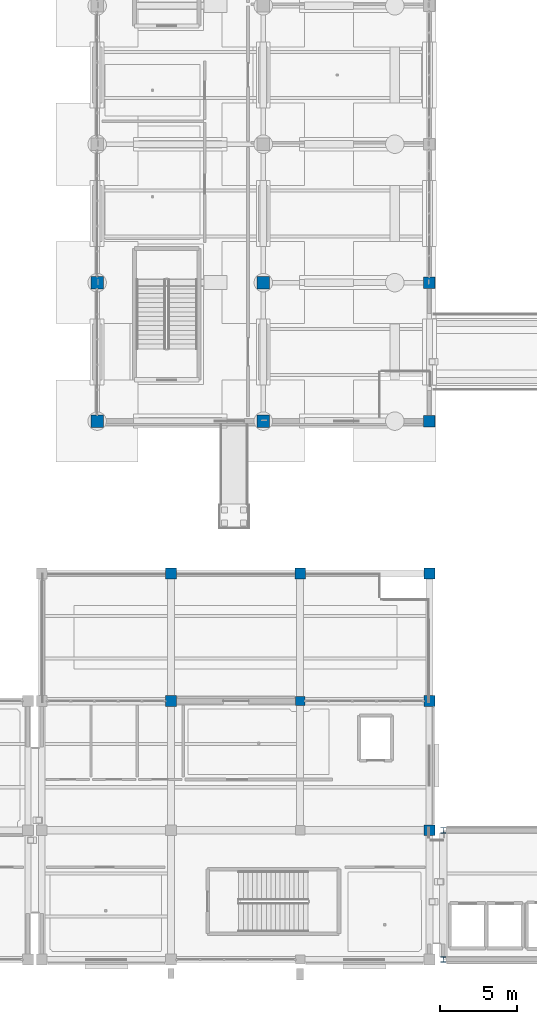
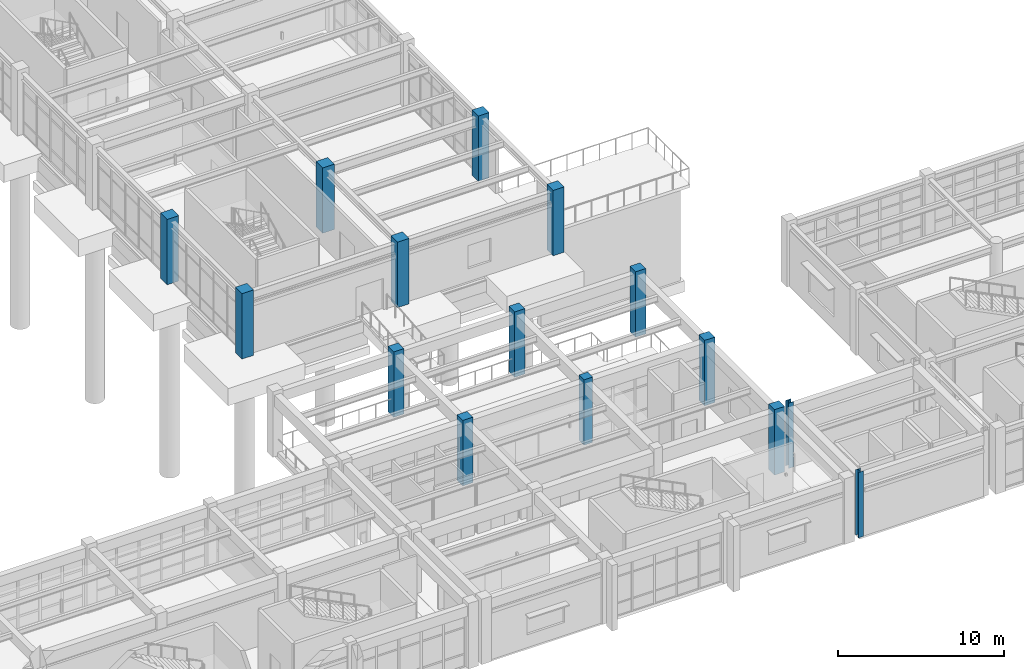
# One storey, part 4 of 98: 15 columns.
"""IFC4 building model written with IfcOpenShell, lengths in metres."""

from ifc_helpers import new_model, si_unit, direction, frame, origin, origin_2d, place, context, subcontext, project, spatial, rectangle, i_section, extrude, material, material_profile, profile_set, type_object, element, save


model = new_model("IFC4")

# Units and contexts
model_context = context("Model", 3, precision=1e-05, world=origin(), true_north=direction((0.0, 1.0)))
body_context = subcontext(model_context, "Body", "Model", "MODEL_VIEW")
ifc_project = project(units=[si_unit("LENGTHUNIT", "METRE"), si_unit("AREAUNIT", "SQUARE_METRE"), si_unit("VOLUMEUNIT", "CUBIC_METRE"), si_unit("PLANEANGLEUNIT", "RADIAN"), si_unit("MASSUNIT", "GRAM", prefix="KILO")], contexts=[model_context])

# Site, building, storey
site_placement = place(None, origin())
site = spatial("IfcSite", under=ifc_project, at=site_placement, CompositionType="ELEMENT")
building_placement = place(site_placement, origin())
building = spatial("IfcBuilding", under=site, at=building_placement, Name="Canglan Escarpment Cableway Terminal", CompositionType="ELEMENT")
storey_placement = place(building_placement, frame((0.0, 0.0, 9.60009765625)))
storey = spatial("IfcBuildingStorey", under=building, at=storey_placement, Name="L02", CompositionType="ELEMENT", Elevation=9.60009765625)

# Columns
ifc_material_1 = material(Name="Steel Q355C", Category="steel")
ifc_material_profile_1 = material_profile(ifc_material_1, i_section(OverallWidth=0.35009765625, OverallDepth=0.35009765625, WebThickness=0.011962890625, FlangeThickness=0.01904296875, FilletRadius=0.02001953125, at=origin_2d()), Name="HW 350x350x12x19")
ifc_profile_set_1 = profile_set([ifc_material_profile_1], Name="Steel Q355C")
column_type_1 = type_object("IfcColumnType", Name="COL-HW350-Q355C", PredefinedType="COLUMN", material=ifc_profile_set_1)
for number, where, z_axis, x_axis, name in (
    (1, (137.60009765625, 8.0, 0.0), (0.0, 0.0, 1.0), (1.0, 0.0, 0.0), "Structural column C-09"),
    (2, (137.60009765625, 16.39990234375, 0.0), (0.0, 0.0, 1.0), (1.0, 0.0, 0.0), "Structural column C-09"),
):
    element("IfcColumn", number, at=place(storey_placement, frame(where, z_axis=z_axis, x_axis=x_axis)), inside=storey, type_object=column_type_1, Name=name, PredefinedType="COLUMN", context=body_context, shape_type="SweptSolid", body=[
        extrude(i_section(OverallWidth=0.35009765625, OverallDepth=0.35009765625, WebThickness=0.011962890625, FlangeThickness=0.01904296875, FilletRadius=0.02001953125, at=origin_2d()), origin(), (0.0, 0.0, 1.0), 4.7998046875),
    ])
ifc_material_2 = material(Name="Concrete C40", Category="concrete")
ifc_material_profile_2 = material_profile(ifc_material_2, rectangle(XDim=0.60009765625, YDim=0.60009765625, at=origin_2d()), Name="RC 600x600")
ifc_profile_set_2 = profile_set([ifc_material_profile_2], Name="Concrete C40")
column_type_2 = type_object("IfcColumnType", Name="COL-RC600-C40", PredefinedType="COLUMN", material=ifc_profile_set_2)
column_placement = place(storey_placement, frame((128.300048828125, 24.800048828125, 0.0), z_axis=(0.0, 0.0, 1.0), x_axis=(1.0, 0.0, 0.0)))
element("IfcColumn", 3, at=column_placement, inside=storey, type_object=column_type_2, Name="Structural column C-05", PredefinedType="COLUMN", context=body_context, shape_type="SweptSolid", body=[
    extrude(rectangle(XDim=0.60009765625, YDim=0.60009765625, at=origin_2d()), origin(), (0.0, 0.0, 1.0), 4.7998046875),
])
ifc_material_profile_3 = material_profile(ifc_material_2, rectangle(XDim=0.699951171875, YDim=0.699951171875, at=origin_2d()), Name="RC 700x700")
ifc_profile_set_3 = profile_set([ifc_material_profile_3], Name="Concrete C40")
column_type_3 = type_object("IfcColumnType", Name="COL-RC700-C40", PredefinedType="COLUMN", material=ifc_profile_set_3)
for number, where, z_axis, x_axis, name in (
    (4, (119.89990234375, 24.800048828125, 0.0), (0.0, 0.0, 1.0), (1.0, 0.0, 0.0), "Structural column C-04"),
    (5, (119.89990234375, 33.10009765625, 0.0), (0.0, 0.0, 1.0), (1.0, 0.0, 0.0), "Structural column C-04"),
    (6, (128.300048828125, 33.10009765625, 0.0), (0.0, 0.0, 1.0), (1.0, 0.0, 0.0), "Structural column C-04"),
    (7, (136.699951171875, 16.39990234375, 0.0), (0.0, 0.0, 1.0), (1.0, 0.0, 0.0), "Structural column C-04"),
    (8, (136.699951171875, 24.800048828125, 0.0), (0.0, 0.0, 1.0), (1.0, 0.0, 0.0), "Structural column C-04"),
    (9, (136.699951171875, 33.10009765625, 0.0), (0.0, 0.0, 1.0), (1.0, 0.0, 0.0), "Structural column C-04"),
):
    element("IfcColumn", number, at=place(storey_placement, frame(where, z_axis=z_axis, x_axis=x_axis)), inside=storey, type_object=column_type_3, Name=name, PredefinedType="COLUMN", context=body_context, shape_type="SweptSolid", body=[
        extrude(rectangle(XDim=0.699951171875, YDim=0.699951171875, at=origin_2d()), origin(), (0.0, 0.0, 1.0), 4.7998046875),
    ])
ifc_material_profile_4 = material_profile(ifc_material_2, rectangle(XDim=0.75, YDim=0.75, at=origin_2d()), Name="RC 750x750")
ifc_profile_set_4 = profile_set([ifc_material_profile_4], Name="Concrete C40")
column_type_4 = type_object("IfcColumnType", Name="COL-RC750-C40", PredefinedType="COLUMN", material=ifc_profile_set_4)
for number, where, z_axis, x_axis, name in (
    (10, (136.699951171875, 43.0, 0.0), (0.0, 0.0, 1.0), (1.0, 0.0, 0.0), "Structural column C-03"),
    (11, (136.699951171875, 52.0, 0.0), (0.0, 0.0, 1.0), (1.0, 0.0, 0.0), "Structural column C-03"),
):
    element("IfcColumn", number, at=place(storey_placement, frame(where, z_axis=z_axis, x_axis=x_axis)), inside=storey, type_object=column_type_4, Name=name, PredefinedType="COLUMN", context=body_context, shape_type="SweptSolid", body=[
        extrude(rectangle(XDim=0.75, YDim=0.75, at=origin_2d()), origin(), (0.0, 0.0, 1.0), 4.7998046875),
    ])
ifc_material_3 = material(Name="Concrete C50", Category="concrete")
ifc_material_profile_5 = material_profile(ifc_material_3, rectangle(XDim=0.800048828125, YDim=0.800048828125, at=origin_2d()), Name="RC 800x800")
ifc_profile_set_5 = profile_set([ifc_material_profile_5], Name="Concrete C50")
column_type_5 = type_object("IfcColumnType", Name="COL-RC800-C50", PredefinedType="COLUMN", material=ifc_profile_set_5)
for number, where, z_axis, x_axis, name in (
    (12, (115.10009765625, 43.0, 0.0), (0.0, 0.0, 1.0), (1.0, 0.0, 0.0), "Structural column C-02"),
    (13, (115.10009765625, 52.0, 0.0), (0.0, 0.0, 1.0), (1.0, 0.0, 0.0), "Structural column C-02"),
    (14, (125.89990234375, 43.0, 0.0), (0.0, 0.0, 1.0), (1.0, 0.0, 0.0), "Structural column C-02"),
    (15, (125.89990234375, 52.0, 0.0), (0.0, 0.0, 1.0), (1.0, 0.0, 0.0), "Structural column C-02"),
):
    element("IfcColumn", number, at=place(storey_placement, frame(where, z_axis=z_axis, x_axis=x_axis)), inside=storey, type_object=column_type_5, Name=name, PredefinedType="COLUMN", context=body_context, shape_type="SweptSolid", body=[
        extrude(rectangle(XDim=0.800048828125, YDim=0.800048828125, at=origin_2d()), origin(), (0.0, 0.0, 1.0), 4.7998046875),
    ])

save(model, "model.ifc")
